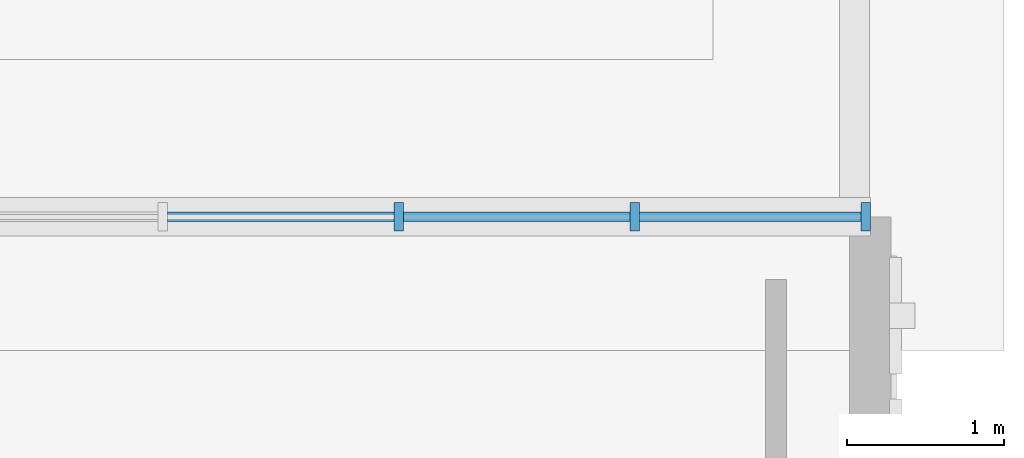
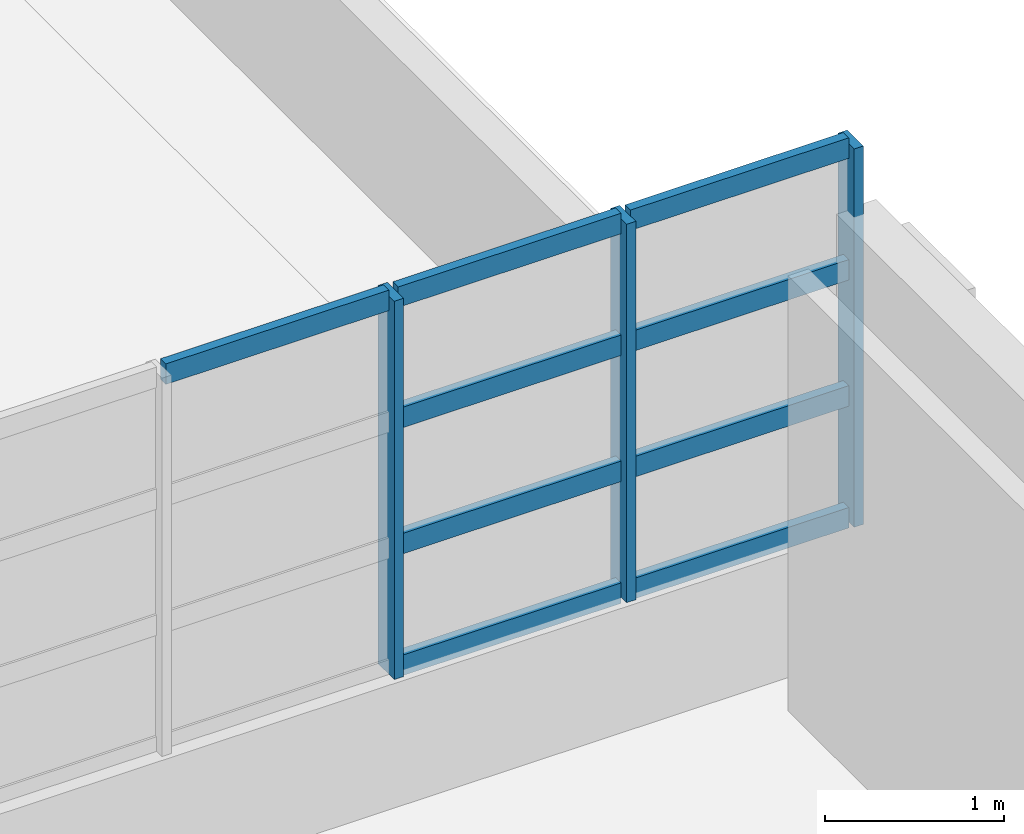
# One storey, part 17 of 53: 12 members, 1 element without a shape of its own.
"""IFC4 building model written with IfcOpenShell, lengths in metres."""

from ifc_helpers import new_model, si_unit, direction, frame, origin, origin_2d, place, context, subcontext, project, spatial, rectangle, extrude, material, material_profile, profile_set, type_object, element, aggregate, save


model = new_model("IFC4")

# Units and contexts
model_context = context("Model", 3, precision=1e-05, world=origin(), true_north=direction((0.0, 1.0)))
body_context = subcontext(model_context, "Body", "Model", "MODEL_VIEW")
ifc_project = project(units=[si_unit("LENGTHUNIT", "METRE"), si_unit("AREAUNIT", "SQUARE_METRE"), si_unit("VOLUMEUNIT", "CUBIC_METRE"), si_unit("PLANEANGLEUNIT", "RADIAN"), si_unit("MASSUNIT", "GRAM", prefix="KILO")], contexts=[model_context])

# Site, building, storey
site_placement = place(None, origin())
site = spatial("IfcSite", under=ifc_project, at=site_placement, CompositionType="ELEMENT")
building_placement = place(site_placement, origin())
building = spatial("IfcBuilding", under=site, at=building_placement, Name="Nzembalo Square Collegiate School", CompositionType="ELEMENT")
storey_placement = place(building_placement, frame((0.0, 0.0, 13.60009765625)))
storey = spatial("IfcBuildingStorey", under=building, at=storey_placement, Name="L03", CompositionType="ELEMENT", Elevation=13.60009765625)

# Curtain wall, members
ifc_material_1 = material(Name="Aluminium 6060-T66", Category="aluminium")
curtain_wall_type = type_object("IfcCurtainWallType", Name="CW-06", PredefinedType="USERDEFINED", material=ifc_material_1)
curtain_wall_placement = place(storey_placement, origin())
curtain_wall = element("IfcCurtainWall", 1, at=curtain_wall_placement, inside=storey, type_object=curtain_wall_type, Name="Curtain wall CW-06 cw:L03:125", ObjectType="LANCET", PredefinedType="USERDEFINED")
ifc_material_2 = material(Name="Aluminium 6060-T66", Category="aluminium")
ifc_material_profile_1 = material_profile(ifc_material_2, rectangle(XDim=0.06005859375, YDim=0.179931640625, at=origin_2d()), Name="ALU M60x180")
ifc_profile_set_1 = profile_set([ifc_material_profile_1], Name="Aluminium 6060-T66")
member_type_1 = type_object("IfcMemberType", Name="ML01", PredefinedType="MULLION", material=ifc_profile_set_1)
member_1_placement = place(storey_placement, frame((162.60009765625, 88.800048828125, 0.849853515625), z_axis=(0.0, 0.0, 1.0), x_axis=(1.0, 0.0, 0.0)))
member_1 = element("IfcMember", 2, at=member_1_placement, type_object=member_type_1, Name="ML01 mullion 3", PredefinedType="MULLION", context=body_context, shape_type="SweptSolid", body=[
    extrude(rectangle(XDim=0.06005859375, YDim=0.179931640625, at=origin_2d()), origin(), (0.0, 0.0, 1.0), 2.583984375),
])
member_2_placement = place(storey_placement, frame((164.10009765625, 88.800048828125, 0.849853515625), z_axis=(0.0, 0.0, 1.0), x_axis=(1.0, 0.0, 0.0)))
member_2 = element("IfcMember", 3, at=member_2_placement, type_object=member_type_1, Name="ML01 mullion 4", PredefinedType="MULLION", context=body_context, shape_type="SweptSolid", body=[
    extrude(rectangle(XDim=0.06005859375, YDim=0.179931640625, at=origin_2d()), origin(), (0.0, 0.0, 1.0), 2.583984375),
])
member_3_placement = place(storey_placement, frame((165.570068359375, 88.800048828125, 0.849853515625), z_axis=(0.0, 0.0, 1.0), x_axis=(1.0, 0.0, 0.0)))
member_3 = element("IfcMember", 4, at=member_3_placement, type_object=member_type_1, Name="ML01 mullion 5", PredefinedType="MULLION", context=body_context, shape_type="SweptSolid", body=[
    extrude(rectangle(XDim=0.06005859375, YDim=0.179931640625, at=origin_2d()), origin(), (0.0, 0.0, 1.0), 2.583984375),
])
ifc_material_3 = material(Name="Aluminium 6060-T66", Category="aluminium")
ifc_material_profile_2 = material_profile(ifc_material_3, rectangle(XDim=0.06005859375, YDim=0.139892578125, at=origin_2d()), Name="ALU T60x140")
ifc_profile_set_2 = profile_set([ifc_material_profile_2], Name="Aluminium 6060-T66")
member_type_2 = type_object("IfcMemberType", Name="TR01", PredefinedType="USERDEFINED", material=ifc_profile_set_2)
member_4_placement = place(storey_placement, frame((162.6298828125, 88.800048828125, 0.8798828125), z_axis=(1.0, 0.0, 0.0), x_axis=(0.0, 1.0, 0.0)))
member_4 = element("IfcMember", 5, at=member_4_placement, type_object=member_type_2, Name="TR01 transom 1-3", ObjectType="TRANSOM", PredefinedType="USERDEFINED", context=body_context, shape_type="SweptSolid", body=[
    extrude(rectangle(XDim=0.06005859375, YDim=0.139892578125, at=origin_2d()), origin(), (0.0, 0.0, 1.0), 1.440185546875),
])
member_5_placement = place(storey_placement, frame((164.1298828125, 88.800048828125, 0.8798828125), z_axis=(1.0, 0.0, 0.0), x_axis=(0.0, 1.0, 0.0)))
member_5 = element("IfcMember", 6, at=member_5_placement, type_object=member_type_2, Name="TR01 transom 1-4", ObjectType="TRANSOM", PredefinedType="USERDEFINED", context=body_context, shape_type="SweptSolid", body=[
    extrude(rectangle(XDim=0.06005859375, YDim=0.139892578125, at=origin_2d()), origin(), (0.0, 0.0, 1.0), 1.41015625),
])
member_6_placement = place(storey_placement, frame((162.6298828125, 88.800048828125, 1.711181640625), z_axis=(1.0, 0.0, 0.0), x_axis=(0.0, 1.0, 0.0)))
member_6 = element("IfcMember", 7, at=member_6_placement, type_object=member_type_2, Name="TR01 transom 2-3", ObjectType="TRANSOM", PredefinedType="USERDEFINED", context=body_context, shape_type="SweptSolid", body=[
    extrude(rectangle(XDim=0.06005859375, YDim=0.139892578125, at=origin_2d()), origin(), (0.0, 0.0, 1.0), 1.440185546875),
])
member_7_placement = place(storey_placement, frame((164.1298828125, 88.800048828125, 1.711181640625), z_axis=(1.0, 0.0, 0.0), x_axis=(0.0, 1.0, 0.0)))
member_7 = element("IfcMember", 8, at=member_7_placement, type_object=member_type_2, Name="TR01 transom 2-4", ObjectType="TRANSOM", PredefinedType="USERDEFINED", context=body_context, shape_type="SweptSolid", body=[
    extrude(rectangle(XDim=0.06005859375, YDim=0.139892578125, at=origin_2d()), origin(), (0.0, 0.0, 1.0), 1.41015625),
])
member_8_placement = place(storey_placement, frame((162.6298828125, 88.800048828125, 2.572509765625), z_axis=(1.0, 0.0, 0.0), x_axis=(0.0, 1.0, 0.0)))
member_8 = element("IfcMember", 9, at=member_8_placement, type_object=member_type_2, Name="TR01 transom 3-3", ObjectType="TRANSOM", PredefinedType="USERDEFINED", context=body_context, shape_type="SweptSolid", body=[
    extrude(rectangle(XDim=0.06005859375, YDim=0.139892578125, at=origin_2d()), origin(), (0.0, 0.0, 1.0), 1.440185546875),
])
member_9_placement = place(storey_placement, frame((164.1298828125, 88.800048828125, 2.572509765625), z_axis=(1.0, 0.0, 0.0), x_axis=(0.0, 1.0, 0.0)))
member_9 = element("IfcMember", 10, at=member_9_placement, type_object=member_type_2, Name="TR01 transom 3-4", ObjectType="TRANSOM", PredefinedType="USERDEFINED", context=body_context, shape_type="SweptSolid", body=[
    extrude(rectangle(XDim=0.06005859375, YDim=0.139892578125, at=origin_2d()), origin(), (0.0, 0.0, 1.0), 1.41015625),
])
member_10_placement = place(storey_placement, frame((161.1298828125, 88.800048828125, 3.40380859375), z_axis=(1.0, 0.0, 0.0), x_axis=(0.0, 1.0, 0.0)))
member_10 = element("IfcMember", 11, at=member_10_placement, type_object=member_type_2, Name="TR01 transom 4-2", ObjectType="TRANSOM", PredefinedType="USERDEFINED", context=body_context, shape_type="SweptSolid", body=[
    extrude(rectangle(XDim=0.06005859375, YDim=0.139892578125, at=origin_2d()), origin(), (0.0, 0.0, 1.0), 1.440185546875),
])
member_11_placement = place(storey_placement, frame((162.6298828125, 88.800048828125, 3.40380859375), z_axis=(1.0, 0.0, 0.0), x_axis=(0.0, 1.0, 0.0)))
member_11 = element("IfcMember", 12, at=member_11_placement, type_object=member_type_2, Name="TR01 transom 4-3", ObjectType="TRANSOM", PredefinedType="USERDEFINED", context=body_context, shape_type="SweptSolid", body=[
    extrude(rectangle(XDim=0.06005859375, YDim=0.139892578125, at=origin_2d()), origin(), (0.0, 0.0, 1.0), 1.440185546875),
])
member_12_placement = place(storey_placement, frame((164.1298828125, 88.800048828125, 3.40380859375), z_axis=(1.0, 0.0, 0.0), x_axis=(0.0, 1.0, 0.0)))
member_12 = element("IfcMember", 13, at=member_12_placement, type_object=member_type_2, Name="TR01 transom 4-4", ObjectType="TRANSOM", PredefinedType="USERDEFINED", context=body_context, shape_type="SweptSolid", body=[
    extrude(rectangle(XDim=0.06005859375, YDim=0.139892578125, at=origin_2d()), origin(), (0.0, 0.0, 1.0), 1.41015625),
])
aggregate(curtain_wall, [member_1, member_2, member_3, member_4, member_5, member_6, member_7, member_8, member_9, member_10, member_11, member_12])

save(model, "model.ifc")
